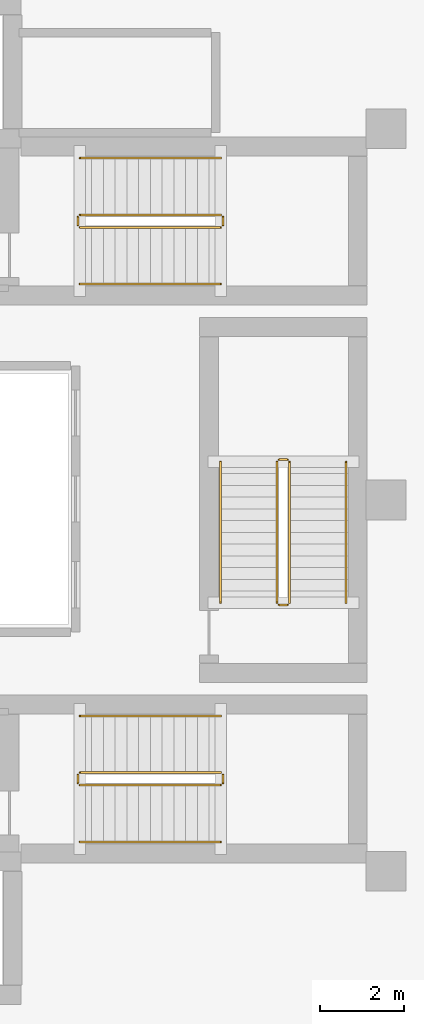
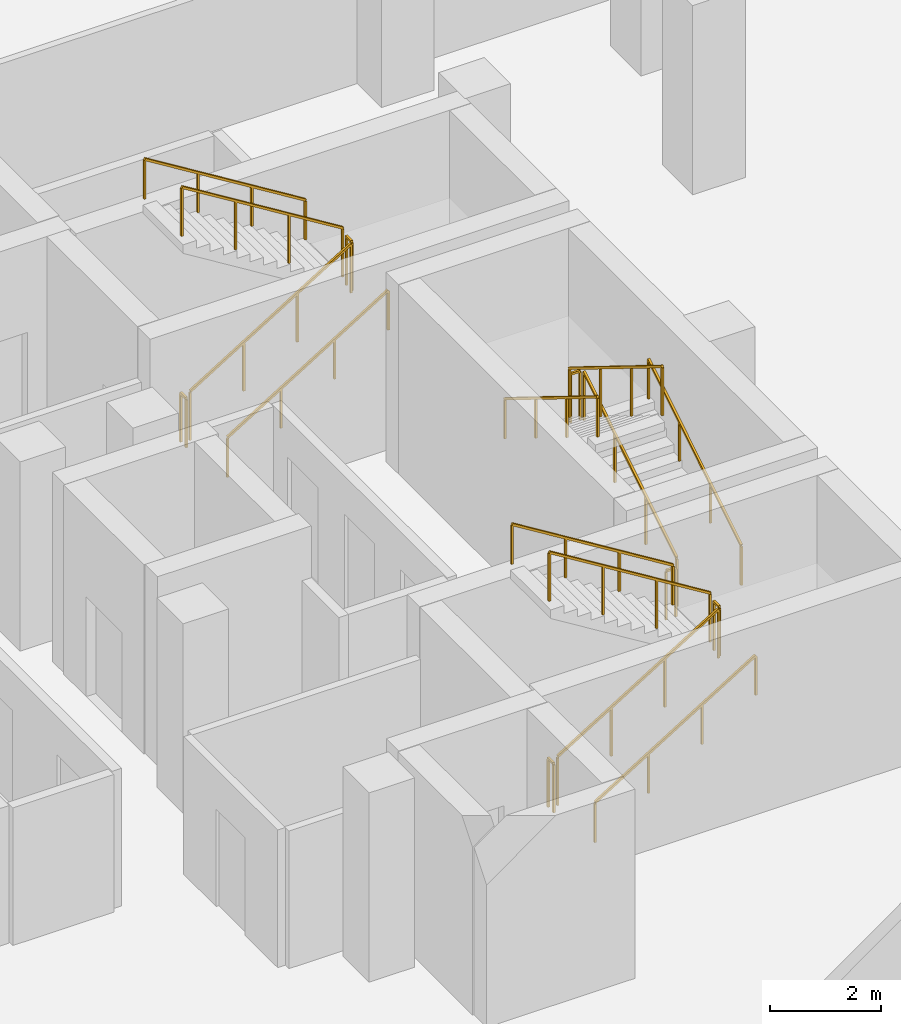
# One storey, part 11 of 13: 18 railings.
"""IFC4 building model written with IfcOpenShell, lengths in metres."""

from ifc_helpers import new_model, si_unit, direction, frame, origin, origin_2d, place, context, subcontext, project, spatial, rectangle, extrude, material, type_object, element, save


model = new_model("IFC4")

# Units and contexts
model_context = context("Model", 3, precision=1e-05, world=origin(), true_north=direction((0.0, 1.0)))
body_context = subcontext(model_context, "Body", "Model", "MODEL_VIEW")
ifc_project = project(units=[si_unit("LENGTHUNIT", "METRE"), si_unit("AREAUNIT", "SQUARE_METRE"), si_unit("VOLUMEUNIT", "CUBIC_METRE"), si_unit("PLANEANGLEUNIT", "RADIAN"), si_unit("MASSUNIT", "GRAM", prefix="KILO")], contexts=[model_context])

# Site, building, storey
site_placement = place(None, origin())
site = spatial("IfcSite", under=ifc_project, at=site_placement, CompositionType="ELEMENT")
building_placement = place(site_placement, origin())
building = spatial("IfcBuilding", under=site, at=building_placement, Name="Korentha Bioscience Tower", CompositionType="ELEMENT")
storey_placement = place(building_placement, frame((0.0, 0.0, -4.5)))
storey = spatial("IfcBuildingStorey", under=building, at=storey_placement, Name="B1", CompositionType="ELEMENT", Elevation=-4.5)

# Railings
ifc_material_1 = material(Name="Stainless Steel 304", Category="steel")
railing_type_1 = type_object("IfcRailingType", Name="Brushed Stainless Stair Handrail 900", PredefinedType="HANDRAIL", material=ifc_material_1)
railing_1_placement = place(storey_placement, frame((30.25, 32.14990234375, 0.173095703125)))
element("IfcRailing", 1, at=railing_1_placement, inside=storey, type_object=railing_type_1, Name="B1 ST-1 stair handrail 1", PredefinedType="HANDRAIL", context=body_context, shape_type="SweptSolid", body=[
    extrude(rectangle(XDim=0.048095703125, YDim=0.048095703125, at=origin_2d()), frame((0.0, 0.0, 0.8759765625), z_axis=(0.850623216509, 0.0, 0.525775754039), x_axis=(0.0, 1.0, 0.0)), (0.0, 0.0, 1.0), 3.9501953125),
    extrude(rectangle(XDim=0.0419921875, YDim=0.0419921875, at=origin_2d()), origin(), (0.0, 0.0, 1.0), 0.851806640625),
    extrude(rectangle(XDim=0.0419921875, YDim=0.0419921875, at=origin_2d()), frame((1.1201171875, 0.0, 0.6923828125)), (0.0, 0.0, 1.0), 0.851806640625),
    extrude(rectangle(XDim=0.0419921875, YDim=0.0419921875, at=origin_2d()), frame((2.239990234375, 0.0, 1.384521484375)), (0.0, 0.0, 1.0), 0.851806640625),
    extrude(rectangle(XDim=0.0419921875, YDim=0.0419921875, at=origin_2d()), frame((3.360107421875, 0.0, 2.076904296875)), (0.0, 0.0, 1.0), 0.851806640625),
])
railing_2_placement = place(storey_placement, frame((33.610107421875, 35.14990234375, 2.423095703125)))
element("IfcRailing", 2, at=railing_2_placement, inside=storey, type_object=railing_type_1, Name="B1 ST-1 stair handrail 2", PredefinedType="HANDRAIL", context=body_context, shape_type="SweptSolid", body=[
    extrude(rectangle(XDim=0.048095703125, YDim=0.048095703125, at=origin_2d()), frame((0.0, 0.0, 0.8759765625), z_axis=(-0.850623216509, 0.0, 0.525775754039), x_axis=(0.0, -1.0, 0.0)), (0.0, 0.0, 1.0), 3.9501953125),
    extrude(rectangle(XDim=0.0419921875, YDim=0.0419921875, at=origin_2d()), origin(), (0.0, 0.0, 1.0), 0.851806640625),
    extrude(rectangle(XDim=0.0419921875, YDim=0.0419921875, at=origin_2d()), frame((-1.1201171875, 0.0, 0.6923828125)), (0.0, 0.0, 1.0), 0.851806640625),
    extrude(rectangle(XDim=0.0419921875, YDim=0.0419921875, at=origin_2d()), frame((-2.239990234375, 0.0, 1.384521484375)), (0.0, 0.0, 1.0), 0.851806640625),
    extrude(rectangle(XDim=0.0419921875, YDim=0.0419921875, at=origin_2d()), frame((-3.360107421875, 0.0, 2.076904296875)), (0.0, 0.0, 1.0), 0.851806640625),
])
railing_3_placement = place(storey_placement, frame((30.25, 18.85009765625, 0.173095703125)))
element("IfcRailing", 3, at=railing_3_placement, inside=storey, type_object=railing_type_1, Name="B1 ST-2 stair handrail 1", PredefinedType="HANDRAIL", context=body_context, shape_type="SweptSolid", body=[
    extrude(rectangle(XDim=0.048095703125, YDim=0.048095703125, at=origin_2d()), frame((0.0, 0.0, 0.8759765625), z_axis=(0.850623216509, 0.0, 0.525775754039), x_axis=(0.0, 1.0, 0.0)), (0.0, 0.0, 1.0), 3.9501953125),
    extrude(rectangle(XDim=0.0419921875, YDim=0.0419921875, at=origin_2d()), origin(), (0.0, 0.0, 1.0), 0.851806640625),
    extrude(rectangle(XDim=0.0419921875, YDim=0.0419921875, at=origin_2d()), frame((1.1201171875, 0.0, 0.6923828125)), (0.0, 0.0, 1.0), 0.851806640625),
    extrude(rectangle(XDim=0.0419921875, YDim=0.0419921875, at=origin_2d()), frame((2.239990234375, 0.0, 1.384521484375)), (0.0, 0.0, 1.0), 0.851806640625),
    extrude(rectangle(XDim=0.0419921875, YDim=0.0419921875, at=origin_2d()), frame((3.360107421875, 0.0, 2.076904296875)), (0.0, 0.0, 1.0), 0.851806640625),
])
railing_4_placement = place(storey_placement, frame((33.610107421875, 21.85009765625, 2.423095703125)))
element("IfcRailing", 4, at=railing_4_placement, inside=storey, type_object=railing_type_1, Name="B1 ST-2 stair handrail 2", PredefinedType="HANDRAIL", context=body_context, shape_type="SweptSolid", body=[
    extrude(rectangle(XDim=0.048095703125, YDim=0.048095703125, at=origin_2d()), frame((0.0, 0.0, 0.8759765625), z_axis=(-0.850623216509, 0.0, 0.525775754039), x_axis=(0.0, -1.0, 0.0)), (0.0, 0.0, 1.0), 3.9501953125),
    extrude(rectangle(XDim=0.0419921875, YDim=0.0419921875, at=origin_2d()), origin(), (0.0, 0.0, 1.0), 0.851806640625),
    extrude(rectangle(XDim=0.0419921875, YDim=0.0419921875, at=origin_2d()), frame((-1.1201171875, 0.0, 0.6923828125)), (0.0, 0.0, 1.0), 0.851806640625),
    extrude(rectangle(XDim=0.0419921875, YDim=0.0419921875, at=origin_2d()), frame((-2.239990234375, 0.0, 1.384521484375)), (0.0, 0.0, 1.0), 0.851806640625),
    extrude(rectangle(XDim=0.0419921875, YDim=0.0419921875, at=origin_2d()), frame((-3.360107421875, 0.0, 2.076904296875)), (0.0, 0.0, 1.0), 0.851806640625),
])
railing_5_placement = place(storey_placement, frame((36.60009765625, 24.550048828125, 0.173095703125)))
element("IfcRailing", 5, at=railing_5_placement, inside=storey, type_object=railing_type_1, Name="B1 ST-3 stair handrail 1", PredefinedType="HANDRAIL", context=body_context, shape_type="SweptSolid", body=[
    extrude(rectangle(XDim=0.048095703125, YDim=0.048095703125, at=origin_2d()), frame((0.0, 0.0, 0.8759765625), z_axis=(0.0, 0.850606129759, 0.525803396734), x_axis=(-1.0, 0.0, 0.0)), (0.0, 0.0, 1.0), 3.949951171875),
    extrude(rectangle(XDim=0.0419921875, YDim=0.0419921875, at=origin_2d()), origin(), (0.0, 0.0, 1.0), 0.851806640625),
    extrude(rectangle(XDim=0.0419921875, YDim=0.0419921875, at=origin_2d()), frame((0.0, 1.119873046875, 0.6923828125)), (0.0, 0.0, 1.0), 0.851806640625),
    extrude(rectangle(XDim=0.0419921875, YDim=0.0419921875, at=origin_2d()), frame((0.0, 2.239990234375, 1.384521484375)), (0.0, 0.0, 1.0), 0.851806640625),
    extrude(rectangle(XDim=0.0419921875, YDim=0.0419921875, at=origin_2d()), frame((0.0, 3.35986328125, 2.076904296875)), (0.0, 0.0, 1.0), 0.851806640625),
])
railing_6_placement = place(storey_placement, frame((33.60009765625, 27.909912109375, 2.423095703125)))
element("IfcRailing", 6, at=railing_6_placement, inside=storey, type_object=railing_type_1, Name="B1 ST-3 stair handrail 2", PredefinedType="HANDRAIL", context=body_context, shape_type="SweptSolid", body=[
    extrude(rectangle(XDim=0.048095703125, YDim=0.048095703125, at=origin_2d()), frame((0.0, 0.0, 0.8759765625), z_axis=(0.0, -0.850606129759, 0.525803396734), x_axis=(1.0, 0.0, 0.0)), (0.0, 0.0, 1.0), 3.949951171875),
    extrude(rectangle(XDim=0.0419921875, YDim=0.0419921875, at=origin_2d()), origin(), (0.0, 0.0, 1.0), 0.851806640625),
    extrude(rectangle(XDim=0.0419921875, YDim=0.0419921875, at=origin_2d()), frame((0.0, -1.119873046875, 0.6923828125)), (0.0, 0.0, 1.0), 0.851806640625),
    extrude(rectangle(XDim=0.0419921875, YDim=0.0419921875, at=origin_2d()), frame((0.0, -2.239990234375, 1.384521484375)), (0.0, 0.0, 1.0), 0.851806640625),
    extrude(rectangle(XDim=0.0419921875, YDim=0.0419921875, at=origin_2d()), frame((0.0, -3.35986328125, 2.076904296875)), (0.0, 0.0, 1.0), 0.851806640625),
])
ifc_material_2 = material(Name="Painted Steel S275", Category="steel")
railing_type_2 = type_object("IfcRailingType", Name="Painted Steel Stair Well Guardrail 1100", PredefinedType="GUARDRAIL", material=ifc_material_2)
railing_7_placement = place(storey_placement, frame((30.25, 33.5, 0.173095703125)))
element("IfcRailing", 7, at=railing_7_placement, inside=storey, type_object=railing_type_2, Name="B1 ST-1 stair guard 1", PredefinedType="GUARDRAIL", context=body_context, shape_type="SweptSolid", body=[
    extrude(rectangle(XDim=0.048095703125, YDim=0.048095703125, at=origin_2d()), frame((0.0, 0.0, 1.076171875), z_axis=(0.850623216509, 0.0, 0.525775754039), x_axis=(0.0, 1.0, 0.0)), (0.0, 0.0, 1.0), 3.9501953125),
    extrude(rectangle(XDim=0.0419921875, YDim=0.0419921875, at=origin_2d()), origin(), (0.0, 0.0, 1.0), 1.052001953125),
    extrude(rectangle(XDim=0.0419921875, YDim=0.0419921875, at=origin_2d()), frame((1.1201171875, 0.0, 0.6923828125)), (0.0, 0.0, 1.0), 1.052001953125),
    extrude(rectangle(XDim=0.0419921875, YDim=0.0419921875, at=origin_2d()), frame((2.239990234375, 0.0, 1.384521484375)), (0.0, 0.0, 1.0), 1.052001953125),
    extrude(rectangle(XDim=0.0419921875, YDim=0.0419921875, at=origin_2d()), frame((3.360107421875, 0.0, 2.076904296875)), (0.0, 0.0, 1.0), 1.052001953125),
])
railing_8_placement = place(storey_placement, frame((33.659912109375, 33.550048828125, 2.25)))
element("IfcRailing", 8, at=railing_8_placement, inside=storey, type_object=railing_type_2, Name="B1 ST-1 stair guard 2", PredefinedType="GUARDRAIL", context=body_context, shape_type="SweptSolid", body=[
    extrude(rectangle(XDim=0.048095703125, YDim=0.048095703125, at=origin_2d()), frame((0.0, 0.0, 1.076171875), z_axis=(0.0, 1.0, 0.0), x_axis=(-1.0, 0.0, 0.0)), (0.0, 0.0, 1.0), 0.199951171875),
    extrude(rectangle(XDim=0.0419921875, YDim=0.0419921875, at=origin_2d()), origin(), (0.0, 0.0, 1.0), 1.052001953125),
    extrude(rectangle(XDim=0.0419921875, YDim=0.0419921875, at=origin_2d()), frame((0.0, 0.199951171875, 0.0)), (0.0, 0.0, 1.0), 1.052001953125),
])
railing_9_placement = place(storey_placement, frame((33.610107421875, 33.800048828125, 2.423095703125)))
element("IfcRailing", 9, at=railing_9_placement, inside=storey, type_object=railing_type_2, Name="B1 ST-1 stair guard 3", PredefinedType="GUARDRAIL", context=body_context, shape_type="SweptSolid", body=[
    extrude(rectangle(XDim=0.048095703125, YDim=0.048095703125, at=origin_2d()), frame((0.0, 0.0, 1.076171875), z_axis=(-0.850623216509, 0.0, 0.525775754039), x_axis=(0.0, -1.0, 0.0)), (0.0, 0.0, 1.0), 3.9501953125),
    extrude(rectangle(XDim=0.0419921875, YDim=0.0419921875, at=origin_2d()), origin(), (0.0, 0.0, 1.0), 1.052001953125),
    extrude(rectangle(XDim=0.0419921875, YDim=0.0419921875, at=origin_2d()), frame((-1.1201171875, 0.0, 0.6923828125)), (0.0, 0.0, 1.0), 1.052001953125),
    extrude(rectangle(XDim=0.0419921875, YDim=0.0419921875, at=origin_2d()), frame((-2.239990234375, 0.0, 1.384521484375)), (0.0, 0.0, 1.0), 1.052001953125),
    extrude(rectangle(XDim=0.0419921875, YDim=0.0419921875, at=origin_2d()), frame((-3.360107421875, 0.0, 2.076904296875)), (0.0, 0.0, 1.0), 1.052001953125),
])
railing_10_placement = place(storey_placement, frame((30.199951171875, 33.550048828125, 0.0)))
element("IfcRailing", 10, at=railing_10_placement, inside=storey, type_object=railing_type_2, Name="B1 ST-1 stair guard 4", PredefinedType="GUARDRAIL", context=body_context, shape_type="SweptSolid", body=[
    extrude(rectangle(XDim=0.048095703125, YDim=0.048095703125, at=origin_2d()), frame((0.0, 0.0, 1.076171875), z_axis=(0.0, 1.0, 0.0), x_axis=(-1.0, 0.0, 0.0)), (0.0, 0.0, 1.0), 0.199951171875),
    extrude(rectangle(XDim=0.0419921875, YDim=0.0419921875, at=origin_2d()), origin(), (0.0, 0.0, 1.0), 1.052001953125),
    extrude(rectangle(XDim=0.0419921875, YDim=0.0419921875, at=origin_2d()), frame((0.0, 0.199951171875, 0.0)), (0.0, 0.0, 1.0), 1.052001953125),
])
railing_11_placement = place(storey_placement, frame((30.25, 20.199951171875, 0.173095703125)))
element("IfcRailing", 11, at=railing_11_placement, inside=storey, type_object=railing_type_2, Name="B1 ST-2 stair guard 1", PredefinedType="GUARDRAIL", context=body_context, shape_type="SweptSolid", body=[
    extrude(rectangle(XDim=0.048095703125, YDim=0.048095703125, at=origin_2d()), frame((0.0, 0.0, 1.076171875), z_axis=(0.850623216509, 0.0, 0.525775754039), x_axis=(0.0, 1.0, 0.0)), (0.0, 0.0, 1.0), 3.9501953125),
    extrude(rectangle(XDim=0.0419921875, YDim=0.0419921875, at=origin_2d()), origin(), (0.0, 0.0, 1.0), 1.052001953125),
    extrude(rectangle(XDim=0.0419921875, YDim=0.0419921875, at=origin_2d()), frame((1.1201171875, 0.0, 0.6923828125)), (0.0, 0.0, 1.0), 1.052001953125),
    extrude(rectangle(XDim=0.0419921875, YDim=0.0419921875, at=origin_2d()), frame((2.239990234375, 0.0, 1.384521484375)), (0.0, 0.0, 1.0), 1.052001953125),
    extrude(rectangle(XDim=0.0419921875, YDim=0.0419921875, at=origin_2d()), frame((3.360107421875, 0.0, 2.076904296875)), (0.0, 0.0, 1.0), 1.052001953125),
])
railing_12_placement = place(storey_placement, frame((33.659912109375, 20.25, 2.25)))
element("IfcRailing", 12, at=railing_12_placement, inside=storey, type_object=railing_type_2, Name="B1 ST-2 stair guard 2", PredefinedType="GUARDRAIL", context=body_context, shape_type="SweptSolid", body=[
    extrude(rectangle(XDim=0.048095703125, YDim=0.048095703125, at=origin_2d()), frame((0.0, 0.0, 1.076171875), z_axis=(0.0, 1.0, 0.0), x_axis=(-1.0, 0.0, 0.0)), (0.0, 0.0, 1.0), 0.199951171875),
    extrude(rectangle(XDim=0.0419921875, YDim=0.0419921875, at=origin_2d()), origin(), (0.0, 0.0, 1.0), 1.052001953125),
    extrude(rectangle(XDim=0.0419921875, YDim=0.0419921875, at=origin_2d()), frame((0.0, 0.199951171875, 0.0)), (0.0, 0.0, 1.0), 1.052001953125),
])
railing_13_placement = place(storey_placement, frame((33.610107421875, 20.5, 2.423095703125)))
element("IfcRailing", 13, at=railing_13_placement, inside=storey, type_object=railing_type_2, Name="B1 ST-2 stair guard 3", PredefinedType="GUARDRAIL", context=body_context, shape_type="SweptSolid", body=[
    extrude(rectangle(XDim=0.048095703125, YDim=0.048095703125, at=origin_2d()), frame((0.0, 0.0, 1.076171875), z_axis=(-0.850623216509, 0.0, 0.525775754039), x_axis=(0.0, -1.0, 0.0)), (0.0, 0.0, 1.0), 3.9501953125),
    extrude(rectangle(XDim=0.0419921875, YDim=0.0419921875, at=origin_2d()), origin(), (0.0, 0.0, 1.0), 1.052001953125),
    extrude(rectangle(XDim=0.0419921875, YDim=0.0419921875, at=origin_2d()), frame((-1.1201171875, 0.0, 0.6923828125)), (0.0, 0.0, 1.0), 1.052001953125),
    extrude(rectangle(XDim=0.0419921875, YDim=0.0419921875, at=origin_2d()), frame((-2.239990234375, 0.0, 1.384521484375)), (0.0, 0.0, 1.0), 1.052001953125),
    extrude(rectangle(XDim=0.0419921875, YDim=0.0419921875, at=origin_2d()), frame((-3.360107421875, 0.0, 2.076904296875)), (0.0, 0.0, 1.0), 1.052001953125),
])
railing_14_placement = place(storey_placement, frame((30.199951171875, 20.25, 0.0)))
element("IfcRailing", 14, at=railing_14_placement, inside=storey, type_object=railing_type_2, Name="B1 ST-2 stair guard 4", PredefinedType="GUARDRAIL", context=body_context, shape_type="SweptSolid", body=[
    extrude(rectangle(XDim=0.048095703125, YDim=0.048095703125, at=origin_2d()), frame((0.0, 0.0, 1.076171875), z_axis=(0.0, 1.0, 0.0), x_axis=(-1.0, 0.0, 0.0)), (0.0, 0.0, 1.0), 0.199951171875),
    extrude(rectangle(XDim=0.0419921875, YDim=0.0419921875, at=origin_2d()), origin(), (0.0, 0.0, 1.0), 1.052001953125),
    extrude(rectangle(XDim=0.0419921875, YDim=0.0419921875, at=origin_2d()), frame((0.0, 0.199951171875, 0.0)), (0.0, 0.0, 1.0), 1.052001953125),
])
railing_15_placement = place(storey_placement, frame((35.25, 24.550048828125, 0.173095703125)))
element("IfcRailing", 15, at=railing_15_placement, inside=storey, type_object=railing_type_2, Name="B1 ST-3 stair guard 1", PredefinedType="GUARDRAIL", context=body_context, shape_type="SweptSolid", body=[
    extrude(rectangle(XDim=0.048095703125, YDim=0.048095703125, at=origin_2d()), frame((0.0, 0.0, 1.076171875), z_axis=(0.0, 0.850606129759, 0.525803396734), x_axis=(-1.0, 0.0, 0.0)), (0.0, 0.0, 1.0), 3.949951171875),
    extrude(rectangle(XDim=0.0419921875, YDim=0.0419921875, at=origin_2d()), origin(), (0.0, 0.0, 1.0), 1.052001953125),
    extrude(rectangle(XDim=0.0419921875, YDim=0.0419921875, at=origin_2d()), frame((0.0, 1.119873046875, 0.6923828125)), (0.0, 0.0, 1.0), 1.052001953125),
    extrude(rectangle(XDim=0.0419921875, YDim=0.0419921875, at=origin_2d()), frame((0.0, 2.239990234375, 1.384521484375)), (0.0, 0.0, 1.0), 1.052001953125),
    extrude(rectangle(XDim=0.0419921875, YDim=0.0419921875, at=origin_2d()), frame((0.0, 3.35986328125, 2.076904296875)), (0.0, 0.0, 1.0), 1.052001953125),
])
railing_16_placement = place(storey_placement, frame((35.199951171875, 27.9599609375, 2.25)))
element("IfcRailing", 16, at=railing_16_placement, inside=storey, type_object=railing_type_2, Name="B1 ST-3 stair guard 2", PredefinedType="GUARDRAIL", context=body_context, shape_type="SweptSolid", body=[
    extrude(rectangle(XDim=0.048095703125, YDim=0.048095703125, at=origin_2d()), frame((0.0, 0.0, 1.076171875), z_axis=(-1.0, 0.0, 0.0), x_axis=(0.0, -1.0, 0.0)), (0.0, 0.0, 1.0), 0.199951171875),
    extrude(rectangle(XDim=0.0419921875, YDim=0.0419921875, at=origin_2d()), origin(), (0.0, 0.0, 1.0), 1.052001953125),
    extrude(rectangle(XDim=0.0419921875, YDim=0.0419921875, at=origin_2d()), frame((-0.199951171875, 0.0, 0.0)), (0.0, 0.0, 1.0), 1.052001953125),
])
railing_17_placement = place(storey_placement, frame((34.949951171875, 27.909912109375, 2.423095703125)))
element("IfcRailing", 17, at=railing_17_placement, inside=storey, type_object=railing_type_2, Name="B1 ST-3 stair guard 3", PredefinedType="GUARDRAIL", context=body_context, shape_type="SweptSolid", body=[
    extrude(rectangle(XDim=0.048095703125, YDim=0.048095703125, at=origin_2d()), frame((0.0, 0.0, 1.076171875), z_axis=(0.0, -0.850606129759, 0.525803396734), x_axis=(1.0, 0.0, 0.0)), (0.0, 0.0, 1.0), 3.949951171875),
    extrude(rectangle(XDim=0.0419921875, YDim=0.0419921875, at=origin_2d()), origin(), (0.0, 0.0, 1.0), 1.052001953125),
    extrude(rectangle(XDim=0.0419921875, YDim=0.0419921875, at=origin_2d()), frame((0.0, -1.119873046875, 0.6923828125)), (0.0, 0.0, 1.0), 1.052001953125),
    extrude(rectangle(XDim=0.0419921875, YDim=0.0419921875, at=origin_2d()), frame((0.0, -2.239990234375, 1.384521484375)), (0.0, 0.0, 1.0), 1.052001953125),
    extrude(rectangle(XDim=0.0419921875, YDim=0.0419921875, at=origin_2d()), frame((0.0, -3.35986328125, 2.076904296875)), (0.0, 0.0, 1.0), 1.052001953125),
])
railing_18_placement = place(storey_placement, frame((35.199951171875, 24.5, 0.0)))
element("IfcRailing", 18, at=railing_18_placement, inside=storey, type_object=railing_type_2, Name="B1 ST-3 stair guard 4", PredefinedType="GUARDRAIL", context=body_context, shape_type="SweptSolid", body=[
    extrude(rectangle(XDim=0.048095703125, YDim=0.048095703125, at=origin_2d()), frame((0.0, 0.0, 1.076171875), z_axis=(-1.0, 0.0, 0.0), x_axis=(0.0, -1.0, 0.0)), (0.0, 0.0, 1.0), 0.199951171875),
    extrude(rectangle(XDim=0.0419921875, YDim=0.0419921875, at=origin_2d()), origin(), (0.0, 0.0, 1.0), 1.052001953125),
    extrude(rectangle(XDim=0.0419921875, YDim=0.0419921875, at=origin_2d()), frame((-0.199951171875, 0.0, 0.0)), (0.0, 0.0, 1.0), 1.052001953125),
])

save(model, "model.ifc")
